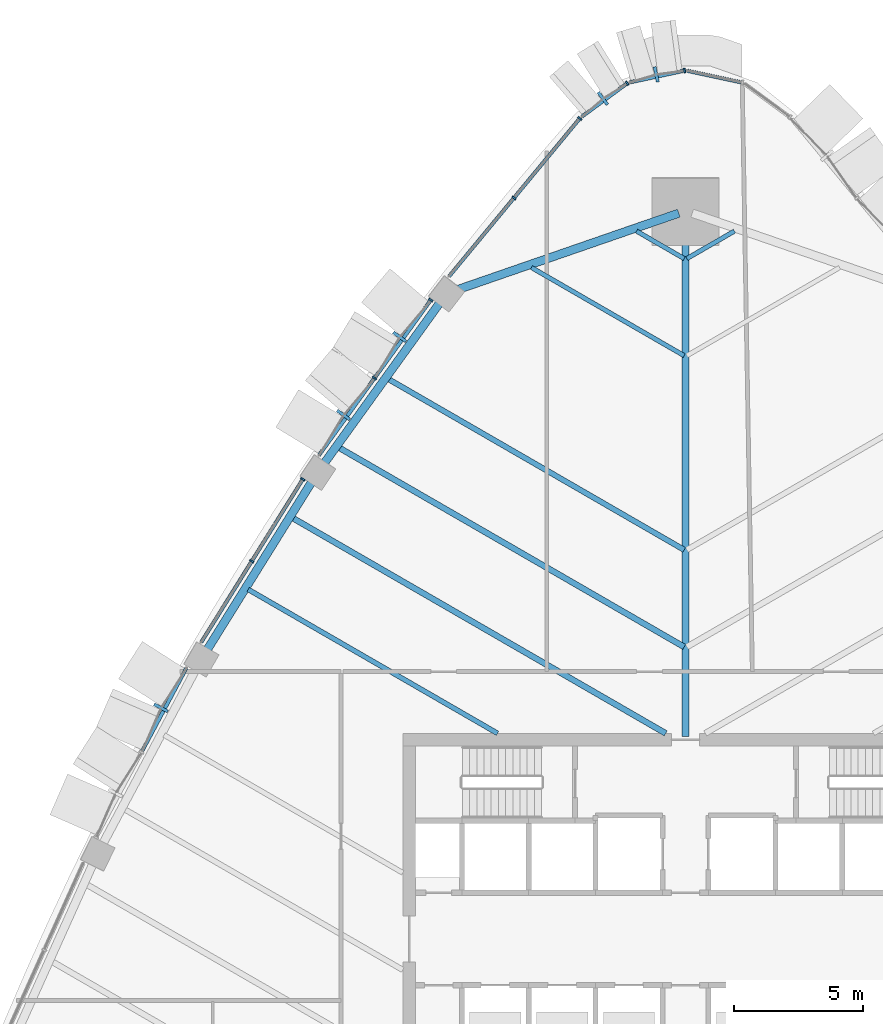
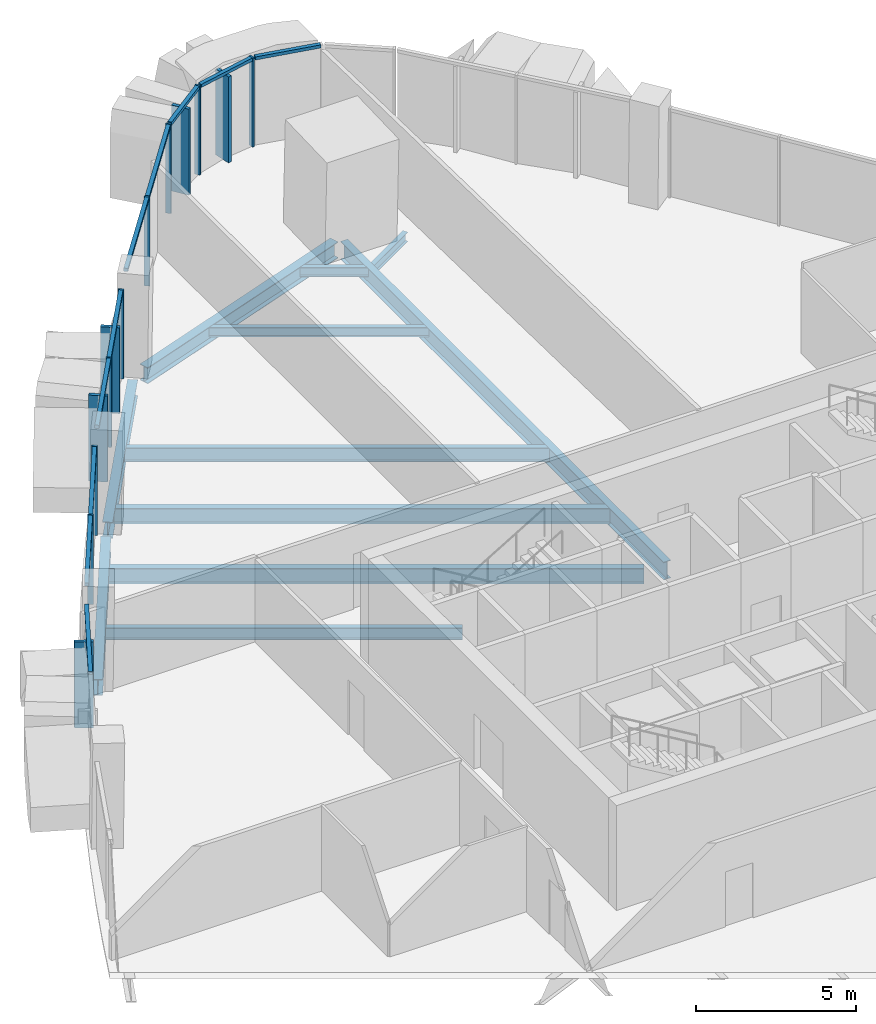
# One storey, part 6 of 17: 23 members, 11 beams, 7 elements without a shape of their own.
"""IFC4 building model written with IfcOpenShell, lengths in metres."""

import ifcopenshell
import ifcopenshell.guid

model = None  # the IFC model being written
_history = None  # IfcOwnerHistory: only IFC2X3 demands one
_inside = {}  # id of a spatial element -> (the spatial element, [elements in it])
_under = {}  # id of a project, library or spatial element -> (it, [spatial elements below it])
_declared = {}  # id of a project -> (the project, [libraries it declares])
_typed = {}  # id of a type object -> (the type object, [elements of that type])
_made_of = {}  # id of a material, layer set ... -> (it, [elements and type objects made of it])


def new_model(schema):
    """Start an empty IFC model of exactly this schema.

    Asked for "IFC4X3", IfcOpenShell would pick the latest addendum, in which some entities
    have other attributes; the version numbers below select the first issue.
    IFC2X3 requires an IfcOwnerHistory on every rooted entity: one is made here for all.
    """
    global model, _history
    if schema == "IFC4X3":
        model = ifcopenshell.file(schema_version=(4, 3, 0, 0))
    else:
        model = ifcopenshell.file(schema=schema)
    _inside.clear()
    _under.clear()
    _declared.clear()
    _typed.clear()
    _made_of.clear()
    _history = None
    if model.schema == "IFC2X3":
        org = make("IfcOrganization", Name="unknown")
        user = make(
            "IfcPersonAndOrganization",
            ThePerson=make("IfcPerson", FamilyName="unknown"),
            TheOrganization=org,
        )
        app = make(
            "IfcApplication",
            ApplicationDeveloper=org,
            Version="unknown",
            ApplicationFullName="unknown",
            ApplicationIdentifier="unknown",
        )
        _history = make(
            "IfcOwnerHistory",
            OwningUser=user,
            OwningApplication=app,
            ChangeAction="ADDED",
            CreationDate=0,
        )
    return model


def make(cls, **values):
    """One entity of the class cls with the attributes given. An attribute that is None is left unset."""
    return model.create_entity(
        cls, **{name: value for name, value in values.items() if value is not None}
    )


def rooted(cls, **values):
    """An entity with a GlobalId (a new one), such as an element, a storey or a relation."""
    return make(cls, GlobalId=ifcopenshell.guid.new(), OwnerHistory=_history, **values)


def si_unit(unit_type, name, prefix=None):
    """IfcSIUnit, for example si_unit("LENGTHUNIT", "METRE", prefix="MILLI")."""
    return make("IfcSIUnit", UnitType=unit_type, Prefix=prefix, Name=name)


def assignment(units):
    """IfcUnitAssignment: the units of a project."""
    return None if units is None else make("IfcUnitAssignment", Units=units)


def point(xyz):
    """IfcCartesianPoint."""
    return None if xyz is None else make("IfcCartesianPoint", Coordinates=xyz)


def direction(xyz):
    """IfcDirection."""
    return None if xyz is None else make("IfcDirection", DirectionRatios=xyz)


def frame(location, z_axis=None, x_axis=None):
    """IfcAxis2Placement3D, a coordinate frame: its origin and axes. An axis left out is left unset."""
    return make(
        "IfcAxis2Placement3D",
        Location=point(location),
        Axis=direction(z_axis),
        RefDirection=direction(x_axis),
    )


def frame_2d(location, x_axis=None):
    """IfcAxis2Placement2D, a coordinate frame in the plane: its origin and x axis."""
    return make(
        "IfcAxis2Placement2D", Location=point(location), RefDirection=direction(x_axis)
    )


def origin():
    """The frame at (0, 0, 0) with its axes left unset."""
    return frame((0.0, 0.0, 0.0))


def origin_2d():
    """The frame at (0, 0) in the plane with its x axis left unset."""
    return frame_2d((0.0, 0.0))


def place(relative_to, where):
    """IfcLocalPlacement: puts the frame where relative to a parent placement (None: the world)."""
    return make(
        "IfcLocalPlacement", PlacementRelTo=relative_to, RelativePlacement=where
    )


def context(
    kind, dimensions, precision=None, world=None, true_north=None, identifier=None
):
    """IfcGeometricRepresentationContext, for example the 3D "Model" context."""
    return make(
        "IfcGeometricRepresentationContext",
        ContextIdentifier=identifier,
        ContextType=kind,
        CoordinateSpaceDimension=dimensions,
        Precision=precision,
        WorldCoordinateSystem=world,
        TrueNorth=true_north,
    )


def subcontext(parent, identifier, kind, view, scale=None):
    """IfcGeometricRepresentationSubContext, for example "Body" below "Model"."""
    return make(
        "IfcGeometricRepresentationSubContext",
        ContextIdentifier=identifier,
        ContextType=kind,
        ParentContext=parent,
        TargetScale=scale,
        TargetView=view,
    )


def project(units=None, contexts=None):
    """IfcProject with its units and contexts."""
    return rooted(
        "IfcProject",
        Name="project",
        RepresentationContexts=contexts,
        UnitsInContext=assignment(units),
    )


def spatial(cls, under=None, at=None, **own):
    """A site, building, storey or space (cls), placed at a placement, below another one or the project."""
    s = rooted(cls, ObjectPlacement=at, **own)
    if under is not None:
        _under.setdefault(under.id(), (under, []))[1].append(s)
    return s


def profile(cls, at=None, kind="AREA", **sizes):
    """A parametric profile (cls). Its sizes go by their IFC names, for example OverallWidth=200.0."""
    return make(cls, ProfileType=kind, Position=at, **sizes)


def rectangle(**sizes):
    """IfcRectangleProfileDef."""
    return profile("IfcRectangleProfileDef", **sizes)


def i_section(**sizes):
    """IfcIShapeProfileDef."""
    return profile("IfcIShapeProfileDef", **sizes)


def extrude(swept, where, along, depth):
    """IfcExtrudedAreaSolid: the profile swept, set in the frame where, extruded along a direction by depth."""
    return make(
        "IfcExtrudedAreaSolid",
        SweptArea=swept,
        Position=where,
        ExtrudedDirection=direction(along),
        Depth=depth,
    )


def shape(context_of_items, identifier, shape_type, items):
    """IfcShapeRepresentation: the items that make up one representation, for example the "Body"."""
    return make(
        "IfcShapeRepresentation",
        ContextOfItems=context_of_items,
        RepresentationIdentifier=identifier,
        RepresentationType=shape_type,
        Items=items,
    )


def material(Name=None, Category=None):
    """IfcMaterial."""
    return make("IfcMaterial", Name=Name, Category=Category)


def layer(
    of_material, thickness, ventilated=None, Name=None, Category=None, Priority=None
):
    """IfcMaterialLayer: one layer of a wall or slab, of a material (None: an air gap)."""
    return make(
        "IfcMaterialLayer",
        Material=of_material,
        LayerThickness=thickness,
        IsVentilated=ventilated,
        Name=Name,
        Category=Category,
        Priority=Priority,
    )


def layer_set(layers, Name=None):
    """IfcMaterialLayerSet."""
    return make("IfcMaterialLayerSet", MaterialLayers=layers, LayerSetName=Name)


def material_profile(
    of_material, cross_section, Name=None, Category=None, Priority=None
):
    """IfcMaterialProfile: a cross section and its material."""
    return make(
        "IfcMaterialProfile",
        Name=Name,
        Material=of_material,
        Profile=cross_section,
        Priority=Priority,
        Category=Category,
    )


def profile_set(profiles, Name=None, composite=None):
    """IfcMaterialProfileSet."""
    return make(
        "IfcMaterialProfileSet",
        Name=Name,
        MaterialProfiles=profiles,
        CompositeProfile=composite,
    )


def made_of(thing, what):
    """Note that an element or type object is made of a material, layer set ...; save() writes the relation."""
    if what is not None:
        _made_of.setdefault(what.id(), (what, []))[1].append(thing)
    return thing


def type_object(cls, material=None, **own):
    """A type object (cls), such as IfcWallType, which elements share."""
    return made_of(rooted(cls, **own), material)


def element(
    cls,
    number,
    at=None,
    inside=None,
    cuts=None,
    type_object=None,
    material=None,
    context=None,
    identifier="Body",
    shape_type=None,
    held_by="IfcProductDefinitionShape",
    body=None,
    shapes=None,
    **own,
):
    """One element of the class cls, such as IfcWall. Its Tag is "e" and its number.

    at: its placement. inside: the storey or other place that contains it. cuts: it is an
    opening in that element (IfcRelVoidsElement). A single representation is given by context,
    identifier, shape_type and body (its items); several are given by shapes. held_by: the class
    of the entity that holds the representations. save() writes the other relations.
    """
    e = rooted(cls, Tag="e%d" % number, ObjectPlacement=at, **own)
    if body is not None:
        shapes = [shape(context, identifier, shape_type, body)]
    if shapes is not None:
        e.Representation = make(held_by, Representations=shapes)
    if inside is not None:
        _inside.setdefault(inside.id(), (inside, []))[1].append(e)
    if cuts is not None:
        rooted(
            "IfcRelVoidsElement", RelatingBuildingElement=cuts, RelatedOpeningElement=e
        )
    if type_object is not None:
        _typed.setdefault(type_object.id(), (type_object, []))[1].append(e)
    return made_of(e, material)


def aggregate(whole, parts):
    """IfcRelAggregates: a whole, such as a stair, and the parts it consists of."""
    return rooted("IfcRelAggregates", RelatingObject=whole, RelatedObjects=parts)


def save(model, path):
    """Write the relations noted so far, then the file.

    IfcRelAggregates (storeys below a building ...), IfcRelContainedInSpatialStructure (elements
    in a storey), IfcRelDefinesByType, IfcRelAssociatesMaterial and IfcRelDeclares: one each for
    every whole, place, type object, material and project.
    """
    for whole, parts in _under.values():
        aggregate(whole, parts)
    for where, things in _inside.values():
        rooted(
            "IfcRelContainedInSpatialStructure",
            RelatedElements=things,
            RelatingStructure=where,
        )
    for kind, things in _typed.values():
        rooted("IfcRelDefinesByType", RelatedObjects=things, RelatingType=kind)
    for what, things in _made_of.values():
        rooted("IfcRelAssociatesMaterial", RelatedObjects=things, RelatingMaterial=what)
    for by, libraries in _declared.values():
        rooted("IfcRelDeclares", RelatingContext=by, RelatedDefinitions=libraries)
    model.write(path)


model = new_model("IFC4")

# Units and contexts
model_context = context("Model", 3, precision=1e-05, world=origin(), true_north=direction((0.0, 1.0)))
body_context = subcontext(model_context, "Body", "Model", "MODEL_VIEW")
ifc_project = project(units=[si_unit("LENGTHUNIT", "METRE"), si_unit("AREAUNIT", "SQUARE_METRE"), si_unit("VOLUMEUNIT", "CUBIC_METRE"), si_unit("PLANEANGLEUNIT", "RADIAN"), si_unit("MASSUNIT", "GRAM", prefix="KILO")], contexts=[model_context])

# Site, building, storey
site_placement = place(None, origin())
site = spatial("IfcSite", under=ifc_project, at=site_placement, CompositionType="ELEMENT")
building_placement = place(site_placement, origin())
building = spatial("IfcBuilding", under=site, at=building_placement, Name="Sierra Prisma Convention Tower", CompositionType="ELEMENT")
storey_placement = place(building_placement, frame((0.0, 0.0, 145.800048828125)))
storey = spatial("IfcBuildingStorey", under=building, at=storey_placement, Name="L31", CompositionType="ELEMENT", Elevation=145.800048828125)

# Curtain wall, member
ifc_material_1 = material(Name="Aluminium and glass curtain wall", Category="aluminium")
ifc_layer_1 = layer(ifc_material_1, 0.179931640625)
ifc_layer_set_1 = layer_set([ifc_layer_1], Name="CW-2 Faceted crystal curtain wall")
curtain_wall_type_1 = type_object("IfcCurtainWallType", Name="CW-2 Faceted crystal curtain wall", PredefinedType="NOTDEFINED", material=ifc_layer_set_1)
curtain_wall_1_placement = place(storey_placement, origin())
curtain_wall_1 = element("IfcCurtainWall", 1, at=curtain_wall_1_placement, inside=storey, type_object=curtain_wall_type_1, Name="CW-2 N3 L31", PredefinedType="NOTDEFINED")
ifc_material_2 = material(Name="Aluminium 6063-T6 bronze anodised", Category="aluminium")
ifc_material_profile_1 = material_profile(ifc_material_2, rectangle(XDim=0.1201171875, YDim=0.60009765625, at=origin_2d()), Name="ALU RIDGE BLADE 120x600")
ifc_profile_set_1 = profile_set([ifc_material_profile_1], Name="Aluminium 6063-T6 bronze anodised")
member_type_1 = type_object("IfcMemberType", Name="CW hip bronze", PredefinedType="MULLION", material=ifc_profile_set_1)
member_1_placement = place(storey_placement, frame((-1.13916015625, 33.635009765625, 0.0), z_axis=(0.0, 0.0, 1.0), x_axis=(-0.977726516391, -0.209882965354, 0.0)))
member_1 = element("IfcMember", 2, at=member_1_placement, type_object=member_type_1, Name="CW-2 ridge N3.1", PredefinedType="MULLION", context=body_context, shape_type="SweptSolid", body=[
    extrude(rectangle(XDim=0.1201171875, YDim=0.60009765625, at=origin_2d()), origin(), (0.0, 0.0, 1.0), 3.280029296875),
])

curtain_wall_2_placement = place(storey_placement, origin())
curtain_wall_2 = element("IfcCurtainWall", 3, at=curtain_wall_2_placement, inside=storey, type_object=curtain_wall_type_1, Name="CW-2 N4 L31", PredefinedType="NOTDEFINED")
member_2_placement = place(storey_placement, frame((-3.216552734375, 32.699951171875, 0.0), z_axis=(0.0, 0.0, 1.0), x_axis=(-0.805447744176, -0.592666796271, 0.0)))
member_2 = element("IfcMember", 4, at=member_2_placement, type_object=member_type_1, Name="CW-2 ridge N4.1", PredefinedType="MULLION", context=body_context, shape_type="SweptSolid", body=[
    extrude(rectangle(XDim=0.1201171875, YDim=0.60009765625, at=origin_2d()), origin(), (0.0, 0.0, 1.0), 3.280029296875),
])

# Curtain wall, members
curtain_wall_3_placement = place(storey_placement, origin())
curtain_wall_3 = element("IfcCurtainWall", 5, at=curtain_wall_3_placement, inside=storey, type_object=curtain_wall_type_1, Name="CW-2 NW2 L31", PredefinedType="NOTDEFINED")
member_3_placement = place(storey_placement, frame((-11.12255859375, 23.424072265625, 0.0), z_axis=(0.0, 0.0, 1.0), x_axis=(-0.584518937076, -0.81138006643, 0.0)))
member_3 = element("IfcMember", 6, at=member_3_placement, type_object=member_type_1, Name="CW-2 ridge NW2.1", PredefinedType="MULLION", context=body_context, shape_type="SweptSolid", body=[
    extrude(rectangle(XDim=0.1201171875, YDim=0.60009765625, at=origin_2d()), origin(), (0.0, 0.0, 1.0), 3.280029296875),
])
member_4_placement = place(storey_placement, frame((-13.3095703125, 20.38818359375, 0.0), z_axis=(0.0, 0.0, 1.0), x_axis=(-0.584518937076, -0.81138006643, 0.0)))
member_4 = element("IfcMember", 7, at=member_4_placement, type_object=member_type_1, Name="CW-2 ridge NW2.2", PredefinedType="MULLION", context=body_context, shape_type="SweptSolid", body=[
    extrude(rectangle(XDim=0.1201171875, YDim=0.60009765625, at=origin_2d()), origin(), (0.0, 0.0, 1.0), 3.280029296875),
])

# Curtain wall, member
curtain_wall_4_placement = place(storey_placement, origin())
curtain_wall_4 = element("IfcCurtainWall", 8, at=curtain_wall_4_placement, inside=storey, type_object=curtain_wall_type_1, Name="CW-2 NW4 L31", PredefinedType="NOTDEFINED")
member_5_placement = place(storey_placement, frame((-20.409423828125, 8.991943359375, 0.0), z_axis=(0.0, 0.0, 1.0), x_axis=(-0.47065767126, -0.882315905152, 0.0)))
member_5 = element("IfcMember", 9, at=member_5_placement, type_object=member_type_1, Name="CW-2 ridge NW4.1", PredefinedType="MULLION", context=body_context, shape_type="SweptSolid", body=[
    extrude(rectangle(XDim=0.1201171875, YDim=0.60009765625, at=origin_2d()), origin(), (0.0, 0.0, 1.0), 3.280029296875),
])

# Member
ifc_material_3 = material(Name="Aluminium 6063-T6 bronze anodised", Category="aluminium")
ifc_material_profile_2 = material_profile(ifc_material_3, rectangle(XDim=0.179931640625, YDim=0.070068359375, at=origin_2d()), Name="ALU MULLION 70x180")
ifc_profile_set_2 = profile_set([ifc_material_profile_2], Name="Aluminium 6063-T6 bronze anodised")
member_type_2 = type_object("IfcMemberType", Name="CW mullion bronze", PredefinedType="MULLION", material=ifc_profile_set_2)
member_6_placement = place(storey_placement, frame((-0.0341796875, 33.785400390625, 0.0), z_axis=(0.0, 0.0, 1.0), x_axis=(0.209882965354, -0.977726516391, 0.0)))
member_6 = element("IfcMember", 10, at=member_6_placement, type_object=member_type_2, Name="CW-1 mullion N3.1", PredefinedType="MULLION", context=body_context, shape_type="SweptSolid", body=[
    extrude(rectangle(XDim=0.179931640625, YDim=0.070068359375, at=origin_2d()), origin(), (0.0, 0.0, 1.0), 3.39990234375),
])

member_7_placement = place(storey_placement, frame((-2.270751953125, 33.290771484375, 0.0), z_axis=(0.0, 0.0, 1.0), x_axis=(0.592666796271, -0.805447744176, 0.0)))
member_7 = element("IfcMember", 11, at=member_7_placement, type_object=member_type_2, Name="CW-1 mullion N4.1", PredefinedType="MULLION", context=body_context, shape_type="SweptSolid", body=[
    extrude(rectangle(XDim=0.179931640625, YDim=0.070068359375, at=origin_2d()), origin(), (0.0, 0.0, 1.0), 3.39990234375),
])

# Curtain wall, members
ifc_material_4 = material(Name="Aluminium and glass curtain wall", Category="aluminium")
ifc_layer_2 = layer(ifc_material_4, 0.179931640625)
ifc_layer_set_2 = layer_set([ifc_layer_2], Name="CW-1 Plain shaft curtain wall")
curtain_wall_type_2 = type_object("IfcCurtainWallType", Name="CW-1 Plain shaft curtain wall", PredefinedType="NOTDEFINED", material=ifc_layer_set_2)
curtain_wall_5_placement = place(storey_placement, origin())
curtain_wall_5 = element("IfcCurtainWall", 12, at=curtain_wall_5_placement, inside=storey, type_object=curtain_wall_type_2, Name="CW-1 NW1 L31", PredefinedType="NOTDEFINED")
member_8_placement = place(storey_placement, frame((-4.1123046875, 31.925048828125, 0.0), z_axis=(0.0, 0.0, 1.0), x_axis=(0.770346109378, -0.637625965411, 0.0)))
member_8 = element("IfcMember", 13, at=member_8_placement, type_object=member_type_2, Name="CW-1 mullion NW1.1", PredefinedType="MULLION", context=body_context, shape_type="SweptSolid", body=[
    extrude(rectangle(XDim=0.179931640625, YDim=0.070068359375, at=origin_2d()), origin(), (0.0, 0.0, 1.0), 3.39990234375),
])
member_9_placement = place(storey_placement, frame((-6.671875, 28.832763671875, 0.0), z_axis=(0.0, 0.0, 1.0), x_axis=(0.770346109378, -0.637625965411, 0.0)))
member_9 = element("IfcMember", 14, at=member_9_placement, type_object=member_type_2, Name="CW-1 mullion NW1.2", PredefinedType="MULLION", context=body_context, shape_type="SweptSolid", body=[
    extrude(rectangle(XDim=0.179931640625, YDim=0.070068359375, at=origin_2d()), origin(), (0.0, 0.0, 1.0), 3.39990234375),
])

# Member
member_10_placement = place(storey_placement, frame((-9.91162109375, 24.857666015625, 0.0), z_axis=(0.0, 0.0, 1.0), x_axis=(0.81138006643, -0.584518937076, 0.0)))
member_10 = element("IfcMember", 15, at=member_10_placement, type_object=member_type_2, Name="CW-1 mullion NW2.1", PredefinedType="MULLION", context=body_context, shape_type="SweptSolid", body=[
    extrude(rectangle(XDim=0.179931640625, YDim=0.070068359375, at=origin_2d()), origin(), (0.0, 0.0, 1.0), 3.39990234375),
])

member_11_placement = place(storey_placement, frame((-12.098876953125, 21.82177734375, 0.0), z_axis=(0.0, 0.0, 1.0), x_axis=(0.81138006643, -0.584518937076, 0.0)))
member_11 = element("IfcMember", 16, at=member_11_placement, type_object=member_type_2, Name="CW-1 mullion NW2.2", PredefinedType="MULLION", context=body_context, shape_type="SweptSolid", body=[
    extrude(rectangle(XDim=0.179931640625, YDim=0.070068359375, at=origin_2d()), origin(), (0.0, 0.0, 1.0), 3.39990234375),
])

# Curtain wall, members
curtain_wall_6_placement = place(storey_placement, origin())
curtain_wall_6 = element("IfcCurtainWall", 17, at=curtain_wall_6_placement, inside=storey, type_object=curtain_wall_type_2, Name="CW-1 NW3 L31", PredefinedType="NOTDEFINED")
member_12_placement = place(storey_placement, frame((-14.88818359375, 17.88671875, 0.0), z_axis=(0.0, 0.0, 1.0), x_axis=(0.848759452373, -0.528779152394, 0.0)))
member_12 = element("IfcMember", 18, at=member_12_placement, type_object=member_type_2, Name="CW-1 mullion NW3.1", PredefinedType="MULLION", context=body_context, shape_type="SweptSolid", body=[
    extrude(rectangle(XDim=0.179931640625, YDim=0.070068359375, at=origin_2d()), origin(), (0.0, 0.0, 1.0), 3.39990234375),
])
member_13_placement = place(storey_placement, frame((-16.875244140625, 14.697265625, 0.0), z_axis=(0.0, 0.0, 1.0), x_axis=(0.848759452373, -0.528779152394, 0.0)))
member_13 = element("IfcMember", 19, at=member_13_placement, type_object=member_type_2, Name="CW-1 mullion NW3.2", PredefinedType="MULLION", context=body_context, shape_type="SweptSolid", body=[
    extrude(rectangle(XDim=0.179931640625, YDim=0.070068359375, at=origin_2d()), origin(), (0.0, 0.0, 1.0), 3.39990234375),
])

# Curtain wall, member
curtain_wall_7_placement = place(storey_placement, origin())
curtain_wall_7 = element("IfcCurtainWall", 20, at=curtain_wall_7_placement, inside=storey, type_object=curtain_wall_type_2, Name="CW-1 N2 L31", PredefinedType="NOTDEFINED")
ifc_material_5 = material(Name="Aluminium 6063-T6 bronze anodised", Category="aluminium")
ifc_material_profile_3 = material_profile(ifc_material_5, rectangle(XDim=0.139892578125, YDim=0.1201171875, at=origin_2d()), Name="ALU TRANSOM 120x140")
ifc_profile_set_3 = profile_set([ifc_material_profile_3], Name="Aluminium 6063-T6 bronze anodised")
member_type_3 = type_object("IfcMemberType", Name="CW transom bronze", PredefinedType="USERDEFINED", material=ifc_profile_set_3)
member_14_placement = place(storey_placement, frame((2.174072265625, 33.326171875, 3.33984375), z_axis=(-0.977737668809, 0.209831005793, 0.0), x_axis=(-0.209831005793, -0.977737668809, 0.0)))
member_14 = element("IfcMember", 21, at=member_14_placement, type_object=member_type_3, Name="CW-1 transom N2.1", ObjectType="TRANSOM", PredefinedType="USERDEFINED", context=body_context, shape_type="SweptSolid", body=[
    extrude(rectangle(XDim=0.139892578125, YDim=0.1201171875, at=origin_2d()), origin(), (0.0, 0.0, 1.0), 2.153564453125),
])
aggregate(curtain_wall_7, [member_14])

# Member
member_15_placement = place(storey_placement, frame((-0.068359375, 33.778076171875, 3.33984375), z_axis=(-0.977737668809, -0.209831005793, 0.0), x_axis=(0.209831005793, -0.977737668809, 0.0)))
member_15 = element("IfcMember", 22, at=member_15_placement, type_object=member_type_3, Name="CW-1 transom N3.1", ObjectType="TRANSOM", PredefinedType="USERDEFINED", context=body_context, shape_type="SweptSolid", body=[
    extrude(rectangle(XDim=0.139892578125, YDim=0.1201171875, at=origin_2d()), origin(), (0.0, 0.0, 1.0), 2.153564453125),
])

aggregate(curtain_wall_1, [member_6, member_15, member_1])

member_16_placement = place(storey_placement, frame((-2.299072265625, 33.27001953125, 3.33984375), z_axis=(-0.805394756454, -0.592738801055, 0.0), x_axis=(0.592738801055, -0.805394756454, 0.0)))
member_16 = element("IfcMember", 23, at=member_16_placement, type_object=member_type_3, Name="CW-1 transom N4.1", ObjectType="TRANSOM", PredefinedType="USERDEFINED", context=body_context, shape_type="SweptSolid", body=[
    extrude(rectangle(XDim=0.139892578125, YDim=0.1201171875, at=origin_2d()), origin(), (0.0, 0.0, 1.0), 2.15380859375),
])

aggregate(curtain_wall_2, [member_7, member_16, member_2])

member_17_placement = place(storey_placement, frame((-4.134765625, 31.89794921875, 3.33984375), z_axis=(-0.637629786494, -0.770342946599, 0.0), x_axis=(0.770342946599, -0.637629786494, 0.0)))
member_17 = element("IfcMember", 24, at=member_17_placement, type_object=member_type_3, Name="CW-1 transom NW1.1", ObjectType="TRANSOM", PredefinedType="USERDEFINED", context=body_context, shape_type="SweptSolid", body=[
    extrude(rectangle(XDim=0.139892578125, YDim=0.1201171875, at=origin_2d()), origin(), (0.0, 0.0, 1.0), 3.944091796875),
])

member_18_placement = place(storey_placement, frame((-6.6943359375, 28.8056640625, 3.33984375), z_axis=(-0.637629786494, -0.770342946599, 0.0), x_axis=(0.770342946599, -0.637629786494, 0.0)))
member_18 = element("IfcMember", 25, at=member_18_placement, type_object=member_type_3, Name="CW-1 transom NW1.2", ObjectType="TRANSOM", PredefinedType="USERDEFINED", context=body_context, shape_type="SweptSolid", body=[
    extrude(rectangle(XDim=0.139892578125, YDim=0.1201171875, at=origin_2d()), origin(), (0.0, 0.0, 1.0), 3.944091796875),
])

aggregate(curtain_wall_5, [member_8, member_9, member_17, member_18])

member_19_placement = place(storey_placement, frame((-9.93212890625, 24.829345703125, 3.33984375), z_axis=(-0.584516648281, -0.811381715275, 0.0), x_axis=(0.811381715275, -0.584516648281, 0.0)))
member_19 = element("IfcMember", 26, at=member_19_placement, type_object=member_type_3, Name="CW-1 transom NW2.1", ObjectType="TRANSOM", PredefinedType="USERDEFINED", context=body_context, shape_type="SweptSolid", body=[
    extrude(rectangle(XDim=0.139892578125, YDim=0.1201171875, at=origin_2d()), origin(), (0.0, 0.0, 1.0), 3.671875),
])

member_20_placement = place(storey_placement, frame((-12.119140625, 21.793212890625, 3.33984375), z_axis=(-0.584516648281, -0.811381715275, 0.0), x_axis=(0.811381715275, -0.584516648281, 0.0)))
member_20 = element("IfcMember", 27, at=member_20_placement, type_object=member_type_3, Name="CW-1 transom NW2.2", ObjectType="TRANSOM", PredefinedType="USERDEFINED", context=body_context, shape_type="SweptSolid", body=[
    extrude(rectangle(XDim=0.139892578125, YDim=0.1201171875, at=origin_2d()), origin(), (0.0, 0.0, 1.0), 3.671875),
])

aggregate(curtain_wall_3, [member_10, member_11, member_19, member_3, member_20, member_4])

member_21_placement = place(storey_placement, frame((-14.90673828125, 17.857177734375, 3.33984375), z_axis=(-0.528802357238, -0.848744995261, 0.0), x_axis=(0.848744995261, -0.528802357238, 0.0)))
member_21 = element("IfcMember", 28, at=member_21_placement, type_object=member_type_3, Name="CW-1 transom NW3.1", ObjectType="TRANSOM", PredefinedType="USERDEFINED", context=body_context, shape_type="SweptSolid", body=[
    extrude(rectangle(XDim=0.139892578125, YDim=0.1201171875, at=origin_2d()), origin(), (0.0, 0.0, 1.0), 3.68798828125),
])

member_22_placement = place(storey_placement, frame((-16.893798828125, 14.66748046875, 3.33984375), z_axis=(-0.528802357238, -0.848744995261, 0.0), x_axis=(0.848744995261, -0.528802357238, 0.0)))
member_22 = element("IfcMember", 29, at=member_22_placement, type_object=member_type_3, Name="CW-1 transom NW3.2", ObjectType="TRANSOM", PredefinedType="USERDEFINED", context=body_context, shape_type="SweptSolid", body=[
    extrude(rectangle(XDim=0.139892578125, YDim=0.1201171875, at=origin_2d()), origin(), (0.0, 0.0, 1.0), 3.68798828125),
])

aggregate(curtain_wall_6, [member_12, member_13, member_21, member_22])

member_23_placement = place(storey_placement, frame((-19.41357421875, 10.550537109375, 3.33984375), z_axis=(-0.470677567681, -0.882305291428, 0.0), x_axis=(0.882305291428, -0.470677567681, 0.0)))
member_23 = element("IfcMember", 30, at=member_23_placement, type_object=member_type_3, Name="CW-1 transom NW4.1", ObjectType="TRANSOM", PredefinedType="USERDEFINED", context=body_context, shape_type="SweptSolid", body=[
    extrude(rectangle(XDim=0.139892578125, YDim=0.1201171875, at=origin_2d()), origin(), (0.0, 0.0, 1.0), 3.68798828125),
])

aggregate(curtain_wall_4, [member_23, member_5])

# Beams
ifc_material_6 = material(Name="Steel ASTM A992 Gr 50", Category="steel")
ifc_material_profile_4 = material_profile(ifc_material_6, i_section(OverallWidth=0.172119140625, OverallDepth=0.35791015625, WebThickness=0.0078125, FlangeThickness=0.01318359375, at=origin_2d()), Name="W360x57")
ifc_profile_set_4 = profile_set([ifc_material_profile_4], Name="Steel ASTM A992 Gr 50")
beam_type_1 = type_object("IfcBeamType", Name="Floor joist W360x57", PredefinedType="JOIST", material=ifc_profile_set_4)
for number, where, z_axis, x_axis, name in (
    (31, (1.90283203125, 27.53857421875, -0.3291015625), (-0.866014486009, -0.500018909665, 0.0), (0.500018909665, -0.866014486009, 0.0), "Floor joist L31 NE15"),
    (32, (-1.90283203125, 27.53857421875, -0.3291015625), (0.866014486009, -0.500018909665, 0.0), (0.500018909665, 0.866014486009, 0.0), "Floor joist L31 NW01"),
):
    element("IfcBeam", number, at=place(storey_placement, frame(where, z_axis=z_axis, x_axis=x_axis)), inside=storey, type_object=beam_type_1, Name=name, PredefinedType="JOIST", context=body_context, shape_type="SweptSolid", body=[
        extrude(i_section(OverallWidth=0.172119140625, OverallDepth=0.35791015625, WebThickness=0.0078125, FlangeThickness=0.01318359375, at=origin_2d()), origin(), (0.0, 0.0, 1.0), 2.138671875),
    ])
beam_1_placement = place(storey_placement, frame((-5.994384765625, 26.123779296875, -0.3291015625), z_axis=(0.866019123777, -0.500010877134, 0.0), x_axis=(0.500010877134, 0.866019123777, 0.0)))
element("IfcBeam", 33, at=beam_1_placement, inside=storey, type_object=beam_type_1, Name="Floor joist L31 NW02", PredefinedType="JOIST", context=body_context, shape_type="SweptSolid", body=[
    extrude(i_section(OverallWidth=0.172119140625, OverallDepth=0.35791015625, WebThickness=0.0078125, FlangeThickness=0.01318359375, at=origin_2d()), origin(), (0.0, 0.0, 1.0), 6.863037109375),
])
ifc_material_7 = material(Name="Steel ASTM A992 Gr 50", Category="steel")
ifc_material_profile_5 = material_profile(ifc_material_7, i_section(OverallWidth=0.18994140625, OverallDepth=0.45703125, WebThickness=0.009033203125, FlangeThickness=0.014404296875, at=origin_2d()), Name="W460x74")
ifc_profile_set_5 = profile_set([ifc_material_profile_5], Name="Steel ASTM A992 Gr 50")
beam_type_2 = type_object("IfcBeamType", Name="Floor joist W460x74", PredefinedType="JOIST", material=ifc_profile_set_5)
beam_2_placement = place(storey_placement, frame((-17.01416015625, 13.60009765625, -0.378662109375), z_axis=(0.866032044152, -0.49998849837, 0.0), x_axis=(0.49998849837, 0.866032044152, 0.0)))
element("IfcBeam", 34, at=beam_2_placement, inside=storey, type_object=beam_type_2, Name="Floor joist L31 NW07", PredefinedType="JOIST", context=body_context, shape_type="SweptSolid", body=[
    extrude(i_section(OverallWidth=0.18994140625, OverallDepth=0.45703125, WebThickness=0.009033203125, FlangeThickness=0.014404296875, at=origin_2d()), origin(), (0.0, 0.0, 1.0), 11.200439453125),
])
ifc_material_8 = material(Name="Steel ASTM A992 Gr 50", Category="steel")
ifc_material_profile_6 = material_profile(ifc_material_8, i_section(OverallWidth=0.208984375, OverallDepth=0.532958984375, WebThickness=0.01025390625, FlangeThickness=0.015625, at=origin_2d()), Name="W530x92")
ifc_profile_set_6 = profile_set([ifc_material_profile_6], Name="Steel ASTM A992 Gr 50")
beam_type_3 = type_object("IfcBeamType", Name="Floor joist W530x92", PredefinedType="JOIST", material=ifc_profile_set_6)
beam_3_placement = place(storey_placement, frame((-11.5576171875, 21.781494140625, -0.41650390625), z_axis=(0.866022801149, -0.500004507869, 0.0), x_axis=(0.500004507869, 0.866022801149, 0.0)))
element("IfcBeam", 35, at=beam_3_placement, inside=storey, type_object=beam_type_3, Name="Floor joist L31 NW04", PredefinedType="JOIST", context=body_context, shape_type="SweptSolid", body=[
    extrude(i_section(OverallWidth=0.208984375, OverallDepth=0.532958984375, WebThickness=0.01025390625, FlangeThickness=0.015625, at=origin_2d()), origin(), (0.0, 0.0, 1.0), 13.287109375),
])
ifc_material_9 = material(Name="Steel ASTM A992 Gr 50", Category="steel")
ifc_material_profile_7 = material_profile(ifc_material_9, i_section(OverallWidth=0.22802734375, OverallDepth=0.60302734375, WebThickness=0.010498046875, FlangeThickness=0.014892578125, at=origin_2d()), Name="W610x101")
ifc_profile_set_7 = profile_set([ifc_material_profile_7], Name="Steel ASTM A992 Gr 50")
beam_type_4 = type_object("IfcBeamType", Name="Floor joist W610x101", PredefinedType="JOIST", material=ifc_profile_set_7)
beam_4_placement = place(storey_placement, frame((-13.4794921875, 19.11376953125, -0.45166015625), z_axis=(0.866029318535, -0.499993219391, 0.0), x_axis=(0.499993219391, 0.866029318535, 0.0)))
element("IfcBeam", 36, at=beam_4_placement, inside=storey, type_object=beam_type_4, Name="Floor joist L31 NW05", PredefinedType="JOIST", context=body_context, shape_type="SweptSolid", body=[
    extrude(i_section(OverallWidth=0.22802734375, OverallDepth=0.60302734375, WebThickness=0.010498046875, FlangeThickness=0.014892578125, at=origin_2d()), origin(), (0.0, 0.0, 1.0), 15.506103515625),
])
beam_5_placement = place(storey_placement, frame((-15.283447265625, 16.378173828125, -0.45166015625), z_axis=(0.866026177584, -0.499998659738, 0.0), x_axis=(0.499998659738, 0.866026177584, 0.0)))
element("IfcBeam", 37, at=beam_5_placement, inside=storey, type_object=beam_type_4, Name="Floor joist L31 NW06", PredefinedType="JOIST", context=body_context, shape_type="SweptSolid", body=[
    extrude(i_section(OverallWidth=0.22802734375, OverallDepth=0.60302734375, WebThickness=0.010498046875, FlangeThickness=0.014892578125, at=origin_2d()), origin(), (0.0, 0.0, 1.0), 16.75634765625),
])
ifc_material_10 = material(Name="Steel ASTM A992 Gr 50", Category="steel")
ifc_material_profile_8 = material_profile(ifc_material_10, i_section(OverallWidth=0.25390625, OverallDepth=0.68408203125, WebThickness=0.012451171875, FlangeThickness=0.018798828125, at=origin_2d()), Name="W690x140")
ifc_profile_set_8 = profile_set([ifc_material_profile_8], Name="Steel ASTM A992 Gr 50")
beam_type_5 = type_object("IfcBeamType", Name="Radial girder W690x140", PredefinedType="BEAM", material=ifc_profile_set_8)
beam_6_placement = place(storey_placement, frame((0.0, 28.068603515625, -0.491943359375), z_axis=(0.0, -1.0, 0.0), x_axis=(1.0, 0.0, 0.0)))
element("IfcBeam", 38, at=beam_6_placement, inside=storey, type_object=beam_type_5, Name="Radial girder L31 N", PredefinedType="BEAM", context=body_context, shape_type="SweptSolid", body=[
    extrude(i_section(OverallWidth=0.25390625, OverallDepth=0.68408203125, WebThickness=0.012451171875, FlangeThickness=0.018798828125, at=origin_2d()), origin(), (0.0, 0.0, 1.0), 20.188720703125),
])
ifc_material_11 = material(Name="Steel ASTM A992 Gr 50", Category="steel")
ifc_material_profile_9 = material_profile(ifc_material_11, i_section(OverallWidth=0.324951171875, OverallDepth=0.615966796875, WebThickness=0.013916015625, FlangeThickness=0.021484375, at=origin_2d()), Name="W610x174")
ifc_profile_set_9 = profile_set([ifc_material_profile_9], Name="Steel ASTM A992 Gr 50")
beam_type_6 = type_object("IfcBeamType", Name="Spandrel beam W610x174", PredefinedType="BEAM", material=ifc_profile_set_9)
beam_7_placement = place(storey_placement, frame((-0.260009765625, 28.238525390625, -0.4580078125), z_axis=(-0.945094993087, -0.326795737492, 0.0), x_axis=(0.326795737492, -0.945094993087, 0.0)))
element("IfcBeam", 39, at=beam_7_placement, inside=storey, type_object=beam_type_6, Name="Spandrel L31-13", PredefinedType="BEAM", context=body_context, shape_type="SweptSolid", body=[
    extrude(i_section(OverallWidth=0.324951171875, OverallDepth=0.615966796875, WebThickness=0.013916015625, FlangeThickness=0.021484375, at=origin_2d()), origin(), (0.0, 0.0, 1.0), 9.0830078125),
])
beam_8_placement = place(storey_placement, frame((-9.51806640625, 24.8056640625, -0.4580078125), z_axis=(-0.584522812223, -0.811377274757, 0.0), x_axis=(0.811377274757, -0.584522812223, 0.0)))
element("IfcBeam", 40, at=beam_8_placement, inside=storey, type_object=beam_type_6, Name="Spandrel L31-14", PredefinedType="BEAM", context=body_context, shape_type="SweptSolid", body=[
    extrude(i_section(OverallWidth=0.324951171875, OverallDepth=0.615966796875, WebThickness=0.013916015625, FlangeThickness=0.021484375, at=origin_2d()), origin(), (0.0, 0.0, 1.0), 7.814208984375),
])
beam_9_placement = place(storey_placement, frame((-14.509033203125, 17.833984375, -0.4580078125), z_axis=(-0.528776779055, -0.848760930965, 0.0), x_axis=(0.848760930965, -0.528776779055, 0.0)))
element("IfcBeam", 41, at=beam_9_placement, inside=storey, type_object=beam_type_6, Name="Spandrel L31-15", PredefinedType="BEAM", context=body_context, shape_type="SweptSolid", body=[
    extrude(i_section(OverallWidth=0.324951171875, OverallDepth=0.615966796875, WebThickness=0.013916015625, FlangeThickness=0.021484375, at=origin_2d()), origin(), (0.0, 0.0, 1.0), 7.814453125),
])

save(model, "model.ifc")
